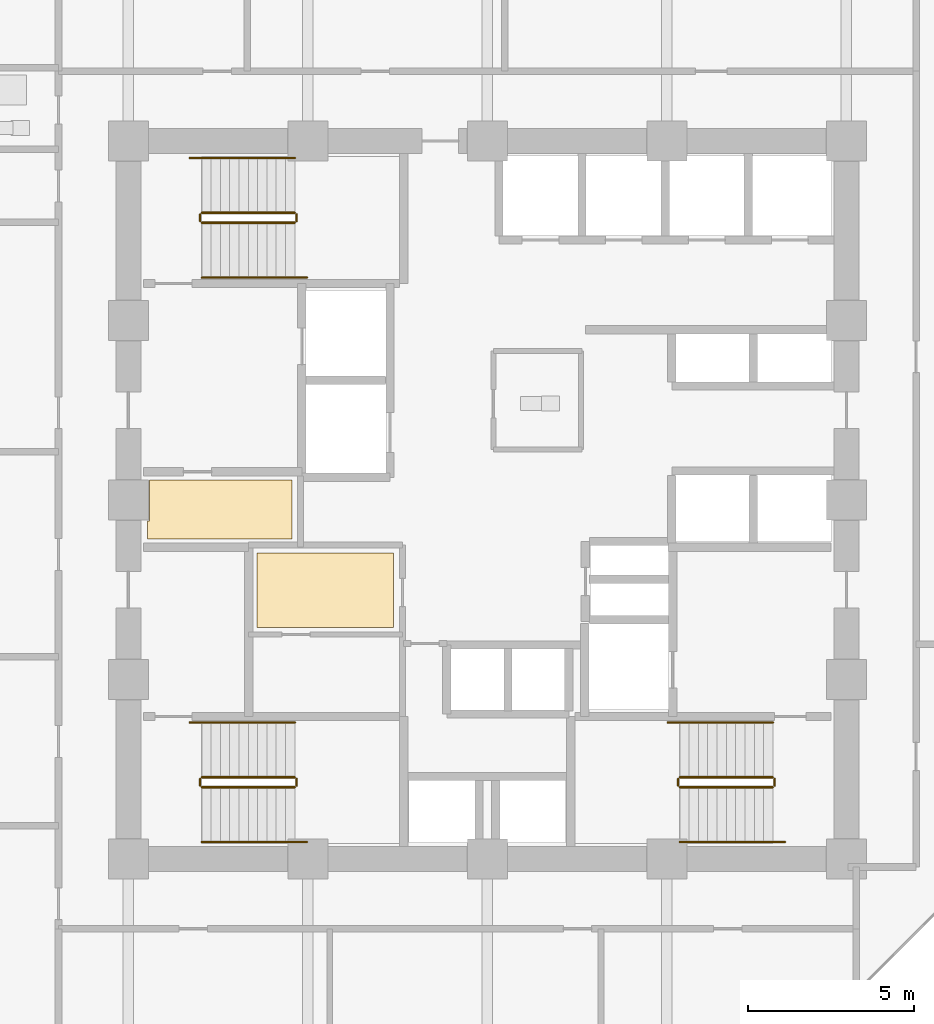
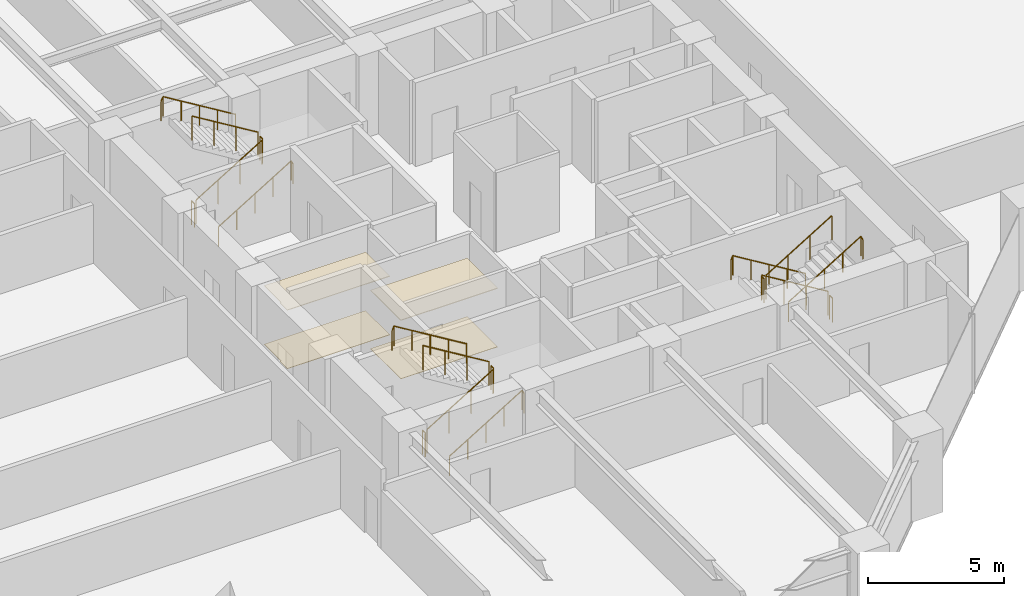
# One storey, part 23 of 24: 18 railings, 4 coverings.
"""IFC4 building model written with IfcOpenShell, lengths in metres."""

from ifc_helpers import new_model, si_unit, direction, frame, origin, origin_2d, place, context, subcontext, project, spatial, polyline, circle, outline, extrude, material, layer, layer_set, type_object, element, save


model = new_model("IFC4")

# Units and contexts
model_context = context("Model", 3, precision=1e-05, world=origin(), true_north=direction((0.0, 1.0)))
body_context = subcontext(model_context, "Body", "Model", "MODEL_VIEW")
ifc_project = project(units=[si_unit("LENGTHUNIT", "METRE"), si_unit("AREAUNIT", "SQUARE_METRE"), si_unit("VOLUMEUNIT", "CUBIC_METRE"), si_unit("PLANEANGLEUNIT", "RADIAN"), si_unit("MASSUNIT", "GRAM", prefix="KILO")], contexts=[model_context])

# Site, building, storey
site_placement = place(None, origin())
site = spatial("IfcSite", under=ifc_project, at=site_placement, CompositionType="ELEMENT")
building_placement = place(site_placement, origin())
building = spatial("IfcBuilding", under=site, at=building_placement, Name="Surkhivell Harbour Commons", CompositionType="ELEMENT")
storey_placement = place(building_placement, frame((0.0, 0.0, 30.0)))
storey = spatial("IfcBuildingStorey", under=building, at=storey_placement, Name="L07", CompositionType="ELEMENT", Elevation=30.0)

# Coverings
ifc_material_1 = material(Name="Perforated acoustic mineral-fibre ceiling tile", Category="other")
ifc_layer_1 = layer(ifc_material_1, 0.02490234375)
ifc_layer_set_1 = layer_set([ifc_layer_1], Name="Perforated acoustic mineral-fibre ceiling tile")
covering_type_1 = type_object("IfcCoveringType", Name="COV-CEIL-AC", PredefinedType="CEILING", material=ifc_layer_set_1)
covering_1_placement = place(storey_placement, frame((0.0, 0.0, 2.6240234375)))
element("IfcCovering", 1, at=covering_1_placement, inside=storey, type_object=covering_type_1, Name="L07 Suspended Acoustic Ceiling 1", PredefinedType="CEILING", context=body_context, shape_type="SweptSolid", body=[
    extrude(outline(polyline([(-10.219970703125, -1.179931640625), (-5.8701171875, -1.179931640625), (-5.8701171875, 0.60009765625), (-10.169921875, 0.60009765625), (-10.169921875, -0.6298828125), (-10.219970703125, -0.6298828125), (-10.219970703125, -1.179931640625)])), origin(), (0.0, 0.0, 1.0), 0.02490234375),
])
ifc_material_2 = material(Name="Moisture-resistant gypsum acoustic ceiling board", Category="other")
ifc_layer_2 = layer(ifc_material_2, 0.030029296875)
ifc_layer_set_2 = layer_set([ifc_layer_2], Name="Moisture-resistant gypsum acoustic ceiling board")
covering_type_2 = type_object("IfcCoveringType", Name="COV-CEIL-GYP", PredefinedType="CEILING", material=ifc_layer_set_2)
covering_2_placement = place(storey_placement, frame((0.0, 0.0, 2.618896484375)))
element("IfcCovering", 2, at=covering_2_placement, inside=storey, type_object=covering_type_2, Name="L07 Suspended Acoustic Ceiling 2", PredefinedType="CEILING", context=body_context, shape_type="SweptSolid", body=[
    extrude(outline(polyline([(-6.929931640625, -3.830078125), (-2.820068359375, -3.830078125), (-2.820068359375, -1.60009765625), (-6.929931640625, -1.60009765625), (-6.929931640625, -3.830078125)])), origin(), (0.0, 0.0, 1.0), 0.030029296875),
])
ifc_material_3 = material(Name="Engineered acoustic oak timber flooring", Category="wood")
ifc_layer_3 = layer(ifc_material_3, 0.02001953125)
ifc_layer_set_3 = layer_set([ifc_layer_3], Name="Engineered acoustic oak timber flooring")
covering_type_3 = type_object("IfcCoveringType", Name="COV-FLR-TIM", PredefinedType="FLOORING", material=ifc_layer_set_3)
covering_3_placement = place(storey_placement, origin())
element("IfcCovering", 3, at=covering_3_placement, inside=storey, type_object=covering_type_3, Name="L07 Interior Floor Finish 1", PredefinedType="FLOORING", context=body_context, shape_type="SweptSolid", body=[
    extrude(outline(polyline([(-10.219970703125, -1.179931640625), (-5.8701171875, -1.179931640625), (-5.8701171875, 0.60009765625), (-10.169921875, 0.60009765625), (-10.169921875, -0.6298828125), (-10.219970703125, -0.6298828125), (-10.219970703125, -1.179931640625)])), origin(), (0.0, 0.0, 1.0), 0.02001953125),
])
covering_4_placement = place(storey_placement, origin())
element("IfcCovering", 4, at=covering_4_placement, inside=storey, type_object=covering_type_3, Name="L07 Interior Floor Finish 2", PredefinedType="FLOORING", context=body_context, shape_type="SweptSolid", body=[
    extrude(outline(polyline([(-6.929931640625, -3.830078125), (-2.820068359375, -3.830078125), (-2.820068359375, -1.60009765625), (-6.929931640625, -1.60009765625), (-6.929931640625, -3.830078125)])), origin(), (0.0, 0.0, 1.0), 0.02001953125),
])

# Railings
ifc_material_4 = material(Name="Galvanised and painted steel S355 guard rail", Category="steel")
railing_type_1 = type_object("IfcRailingType", Name="RAL-ST-GRD1100", PredefinedType="GUARDRAIL", material=ifc_material_4)
railing_1_placement = place(storey_placement, frame((-8.590087890625, 8.340087890625, 0.17041015625)))
element("IfcRailing", 5, at=railing_1_placement, inside=storey, type_object=railing_type_1, Name="L07 ST1 stair guard 1", PredefinedType="GUARDRAIL", context=body_context, shape_type="SweptSolid", body=[
    extrude(circle(Radius=0.02392578125, at=origin_2d()), frame((0.0, 0.0, 1.076171875), z_axis=(0.854169791009, 0.0, 0.51999420009), x_axis=(0.0, 1.0, 0.0)), (0.0, 0.0, 1.0), 3.278076171875),
    extrude(circle(Radius=0.02099609375, at=origin_2d()), origin(), (0.0, 0.0, 1.0), 1.052001953125),
    extrude(circle(Radius=0.02099609375, at=origin_2d()), frame((0.933349609375, 0.0, 0.568115234375)), (0.0, 0.0, 1.0), 1.052001953125),
    extrude(circle(Radius=0.02099609375, at=origin_2d()), frame((1.86669921875, 0.0, 1.136474609375)), (0.0, 0.0, 1.0), 1.052001953125),
    extrude(circle(Radius=0.02099609375, at=origin_2d()), frame((2.800048828125, 0.0, 1.70458984375)), (0.0, 0.0, 1.0), 1.052001953125),
])
railing_2_placement = place(storey_placement, frame((-5.739990234375, 8.389892578125, 1.875)))
element("IfcRailing", 6, at=railing_2_placement, inside=storey, type_object=railing_type_1, Name="L07 ST1 stair guard 2", PredefinedType="GUARDRAIL", context=body_context, shape_type="SweptSolid", body=[
    extrude(circle(Radius=0.02392578125, at=origin_2d()), frame((0.0, 0.0, 1.076171875), z_axis=(0.0, 1.0, 0.0), x_axis=(-1.0, 0.0, 0.0)), (0.0, 0.0, 1.0), 0.2001953125),
    extrude(circle(Radius=0.02099609375, at=origin_2d()), origin(), (0.0, 0.0, 1.0), 1.052001953125),
    extrude(circle(Radius=0.02099609375, at=origin_2d()), frame((0.0, 0.2001953125, 0.0)), (0.0, 0.0, 1.0), 1.052001953125),
])
railing_3_placement = place(storey_placement, frame((-5.7900390625, 8.639892578125, 2.04541015625)))
element("IfcRailing", 7, at=railing_3_placement, inside=storey, type_object=railing_type_1, Name="L07 ST1 stair guard 3", PredefinedType="GUARDRAIL", context=body_context, shape_type="SweptSolid", body=[
    extrude(circle(Radius=0.02392578125, at=origin_2d()), frame((0.0, 0.0, 1.076171875), z_axis=(-0.854169791009, 0.0, 0.51999420009), x_axis=(0.0, -1.0, 0.0)), (0.0, 0.0, 1.0), 3.278076171875),
    extrude(circle(Radius=0.02099609375, at=origin_2d()), origin(), (0.0, 0.0, 1.0), 1.052001953125),
    extrude(circle(Radius=0.02099609375, at=origin_2d()), frame((-0.933349609375, 0.0, 0.568115234375)), (0.0, 0.0, 1.0), 1.052001953125),
    extrude(circle(Radius=0.02099609375, at=origin_2d()), frame((-1.86669921875, 0.0, 1.136474609375)), (0.0, 0.0, 1.0), 1.052001953125),
    extrude(circle(Radius=0.02099609375, at=origin_2d()), frame((-2.800048828125, 0.0, 1.70458984375)), (0.0, 0.0, 1.0), 1.052001953125),
])
railing_4_placement = place(storey_placement, frame((-8.639892578125, 8.389892578125, 0.0)))
element("IfcRailing", 8, at=railing_4_placement, inside=storey, type_object=railing_type_1, Name="L07 ST1 stair guard 4", PredefinedType="GUARDRAIL", context=body_context, shape_type="SweptSolid", body=[
    extrude(circle(Radius=0.02392578125, at=origin_2d()), frame((0.0, 0.0, 1.076171875), z_axis=(0.0, 1.0, 0.0), x_axis=(-1.0, 0.0, 0.0)), (0.0, 0.0, 1.0), 0.2001953125),
    extrude(circle(Radius=0.02099609375, at=origin_2d()), origin(), (0.0, 0.0, 1.0), 1.052001953125),
    extrude(circle(Radius=0.02099609375, at=origin_2d()), frame((0.0, 0.2001953125, 0.0)), (0.0, 0.0, 1.0), 1.052001953125),
])
railing_5_placement = place(storey_placement, frame((8.590087890625, -8.340087890625, 0.17041015625)))
element("IfcRailing", 9, at=railing_5_placement, inside=storey, type_object=railing_type_1, Name="L07 ST2 stair guard 1", PredefinedType="GUARDRAIL", context=body_context, shape_type="SweptSolid", body=[
    extrude(circle(Radius=0.02392578125, at=origin_2d()), frame((0.0, 0.0, 1.076171875), z_axis=(-0.854169791009, 0.0, 0.51999420009), x_axis=(0.0, -1.0, 0.0)), (0.0, 0.0, 1.0), 3.278076171875),
    extrude(circle(Radius=0.02099609375, at=origin_2d()), origin(), (0.0, 0.0, 1.0), 1.052001953125),
    extrude(circle(Radius=0.02099609375, at=origin_2d()), frame((-0.933349609375, 0.0, 0.568115234375)), (0.0, 0.0, 1.0), 1.052001953125),
    extrude(circle(Radius=0.02099609375, at=origin_2d()), frame((-1.86669921875, 0.0, 1.136474609375)), (0.0, 0.0, 1.0), 1.052001953125),
    extrude(circle(Radius=0.02099609375, at=origin_2d()), frame((-2.800048828125, 0.0, 1.70458984375)), (0.0, 0.0, 1.0), 1.052001953125),
])
railing_6_placement = place(storey_placement, frame((5.739990234375, -8.389892578125, 1.875)))
element("IfcRailing", 10, at=railing_6_placement, inside=storey, type_object=railing_type_1, Name="L07 ST2 stair guard 2", PredefinedType="GUARDRAIL", context=body_context, shape_type="SweptSolid", body=[
    extrude(circle(Radius=0.02392578125, at=origin_2d()), frame((0.0, 0.0, 1.076171875), z_axis=(0.0, -1.0, 0.0), x_axis=(1.0, 0.0, 0.0)), (0.0, 0.0, 1.0), 0.2001953125),
    extrude(circle(Radius=0.02099609375, at=origin_2d()), origin(), (0.0, 0.0, 1.0), 1.052001953125),
    extrude(circle(Radius=0.02099609375, at=origin_2d()), frame((0.0, -0.2001953125, 0.0)), (0.0, 0.0, 1.0), 1.052001953125),
])
railing_7_placement = place(storey_placement, frame((5.7900390625, -8.639892578125, 2.04541015625)))
element("IfcRailing", 11, at=railing_7_placement, inside=storey, type_object=railing_type_1, Name="L07 ST2 stair guard 3", PredefinedType="GUARDRAIL", context=body_context, shape_type="SweptSolid", body=[
    extrude(circle(Radius=0.02392578125, at=origin_2d()), frame((0.0, 0.0, 1.076171875), z_axis=(0.854169791009, 0.0, 0.51999420009), x_axis=(0.0, 1.0, 0.0)), (0.0, 0.0, 1.0), 3.278076171875),
    extrude(circle(Radius=0.02099609375, at=origin_2d()), origin(), (0.0, 0.0, 1.0), 1.052001953125),
    extrude(circle(Radius=0.02099609375, at=origin_2d()), frame((0.933349609375, 0.0, 0.568115234375)), (0.0, 0.0, 1.0), 1.052001953125),
    extrude(circle(Radius=0.02099609375, at=origin_2d()), frame((1.86669921875, 0.0, 1.136474609375)), (0.0, 0.0, 1.0), 1.052001953125),
    extrude(circle(Radius=0.02099609375, at=origin_2d()), frame((2.800048828125, 0.0, 1.70458984375)), (0.0, 0.0, 1.0), 1.052001953125),
])
railing_8_placement = place(storey_placement, frame((8.639892578125, -8.389892578125, 0.0)))
element("IfcRailing", 12, at=railing_8_placement, inside=storey, type_object=railing_type_1, Name="L07 ST2 stair guard 4", PredefinedType="GUARDRAIL", context=body_context, shape_type="SweptSolid", body=[
    extrude(circle(Radius=0.02392578125, at=origin_2d()), frame((0.0, 0.0, 1.076171875), z_axis=(0.0, -1.0, 0.0), x_axis=(1.0, 0.0, 0.0)), (0.0, 0.0, 1.0), 0.2001953125),
    extrude(circle(Radius=0.02099609375, at=origin_2d()), origin(), (0.0, 0.0, 1.0), 1.052001953125),
    extrude(circle(Radius=0.02099609375, at=origin_2d()), frame((0.0, -0.2001953125, 0.0)), (0.0, 0.0, 1.0), 1.052001953125),
])
railing_9_placement = place(storey_placement, frame((-8.590087890625, -8.639892578125, 0.17041015625)))
element("IfcRailing", 13, at=railing_9_placement, inside=storey, type_object=railing_type_1, Name="L07 ST3 stair guard 1", PredefinedType="GUARDRAIL", context=body_context, shape_type="SweptSolid", body=[
    extrude(circle(Radius=0.02392578125, at=origin_2d()), frame((0.0, 0.0, 1.076171875), z_axis=(0.854169791009, 0.0, 0.51999420009), x_axis=(0.0, 1.0, 0.0)), (0.0, 0.0, 1.0), 3.278076171875),
    extrude(circle(Radius=0.02099609375, at=origin_2d()), origin(), (0.0, 0.0, 1.0), 1.052001953125),
    extrude(circle(Radius=0.02099609375, at=origin_2d()), frame((0.933349609375, 0.0, 0.568115234375)), (0.0, 0.0, 1.0), 1.052001953125),
    extrude(circle(Radius=0.02099609375, at=origin_2d()), frame((1.86669921875, 0.0, 1.136474609375)), (0.0, 0.0, 1.0), 1.052001953125),
    extrude(circle(Radius=0.02099609375, at=origin_2d()), frame((2.800048828125, 0.0, 1.70458984375)), (0.0, 0.0, 1.0), 1.052001953125),
])
railing_10_placement = place(storey_placement, frame((-5.739990234375, -8.590087890625, 1.875)))
element("IfcRailing", 14, at=railing_10_placement, inside=storey, type_object=railing_type_1, Name="L07 ST3 stair guard 2", PredefinedType="GUARDRAIL", context=body_context, shape_type="SweptSolid", body=[
    extrude(circle(Radius=0.02392578125, at=origin_2d()), frame((0.0, 0.0, 1.076171875), z_axis=(0.0, 1.0, 0.0), x_axis=(-1.0, 0.0, 0.0)), (0.0, 0.0, 1.0), 0.2001953125),
    extrude(circle(Radius=0.02099609375, at=origin_2d()), origin(), (0.0, 0.0, 1.0), 1.052001953125),
    extrude(circle(Radius=0.02099609375, at=origin_2d()), frame((0.0, 0.2001953125, 0.0)), (0.0, 0.0, 1.0), 1.052001953125),
])
railing_11_placement = place(storey_placement, frame((-5.7900390625, -8.340087890625, 2.04541015625)))
element("IfcRailing", 15, at=railing_11_placement, inside=storey, type_object=railing_type_1, Name="L07 ST3 stair guard 3", PredefinedType="GUARDRAIL", context=body_context, shape_type="SweptSolid", body=[
    extrude(circle(Radius=0.02392578125, at=origin_2d()), frame((0.0, 0.0, 1.076171875), z_axis=(-0.854169791009, 0.0, 0.51999420009), x_axis=(0.0, -1.0, 0.0)), (0.0, 0.0, 1.0), 3.278076171875),
    extrude(circle(Radius=0.02099609375, at=origin_2d()), origin(), (0.0, 0.0, 1.0), 1.052001953125),
    extrude(circle(Radius=0.02099609375, at=origin_2d()), frame((-0.933349609375, 0.0, 0.568115234375)), (0.0, 0.0, 1.0), 1.052001953125),
    extrude(circle(Radius=0.02099609375, at=origin_2d()), frame((-1.86669921875, 0.0, 1.136474609375)), (0.0, 0.0, 1.0), 1.052001953125),
    extrude(circle(Radius=0.02099609375, at=origin_2d()), frame((-2.800048828125, 0.0, 1.70458984375)), (0.0, 0.0, 1.0), 1.052001953125),
])
railing_12_placement = place(storey_placement, frame((-8.639892578125, -8.590087890625, 0.0)))
element("IfcRailing", 16, at=railing_12_placement, inside=storey, type_object=railing_type_1, Name="L07 ST3 stair guard 4", PredefinedType="GUARDRAIL", context=body_context, shape_type="SweptSolid", body=[
    extrude(circle(Radius=0.02392578125, at=origin_2d()), frame((0.0, 0.0, 1.076171875), z_axis=(0.0, 1.0, 0.0), x_axis=(-1.0, 0.0, 0.0)), (0.0, 0.0, 1.0), 0.2001953125),
    extrude(circle(Radius=0.02099609375, at=origin_2d()), origin(), (0.0, 0.0, 1.0), 1.052001953125),
    extrude(circle(Radius=0.02099609375, at=origin_2d()), frame((0.0, 0.2001953125, 0.0)), (0.0, 0.0, 1.0), 1.052001953125),
])
ifc_material_5 = material(Name="Brushed stainless steel S355 handrail", Category="steel")
railing_type_2 = type_object("IfcRailingType", Name="RAL-ST-HND900", PredefinedType="HANDRAIL", material=ifc_material_5)
railing_13_placement = place(storey_placement, frame((-8.590087890625, 6.68994140625, 0.17041015625)))
element("IfcRailing", 17, at=railing_13_placement, inside=storey, type_object=railing_type_2, Name="L07 ST1 stair handrail 1", PredefinedType="HANDRAIL", context=body_context, shape_type="SweptSolid", body=[
    extrude(circle(Radius=0.02392578125, at=origin_2d()), frame((0.0, 0.0, 0.8759765625), z_axis=(0.854177636135, 0.0, 0.519981313056), x_axis=(0.0, 1.0, 0.0)), (0.0, 0.0, 1.0), 3.60595703125),
    extrude(circle(Radius=0.02392578125, at=origin_2d()), frame((3.080078125, 0.0, 2.7509765625), z_axis=(0.425297416671, 0.0, -0.905053648892), x_axis=(0.0, 1.0, 0.0)), (0.0, 0.0, 1.0), 0.188232421875),
    extrude(circle(Radius=0.02099609375, at=origin_2d()), origin(), (0.0, 0.0, 1.0), 0.851806640625),
    extrude(circle(Radius=0.02099609375, at=origin_2d()), frame((0.77001953125, 0.0, 0.46875)), (0.0, 0.0, 1.0), 0.851806640625),
    extrude(circle(Radius=0.02099609375, at=origin_2d()), frame((1.5400390625, 0.0, 0.9375)), (0.0, 0.0, 1.0), 0.851806640625),
    extrude(circle(Radius=0.02099609375, at=origin_2d()), frame((2.31005859375, 0.0, 1.40625)), (0.0, 0.0, 1.0), 0.851806640625),
    extrude(circle(Radius=0.02099609375, at=origin_2d()), frame((3.080078125, 0.0, 1.875)), (0.0, 0.0, 1.0), 0.851806640625),
    extrude(circle(Radius=0.02099609375, at=origin_2d()), frame((3.16015625, 0.0, 1.70458984375)), (0.0, 0.0, 1.0), 0.851806640625),
])
railing_14_placement = place(storey_placement, frame((-5.7900390625, 10.2900390625, 2.04541015625)))
element("IfcRailing", 18, at=railing_14_placement, inside=storey, type_object=railing_type_2, Name="L07 ST1 stair handrail 2", PredefinedType="HANDRAIL", context=body_context, shape_type="SweptSolid", body=[
    extrude(circle(Radius=0.02392578125, at=origin_2d()), frame((0.0, 0.0, 0.8759765625), z_axis=(-0.854177636135, 0.0, 0.519981313056), x_axis=(0.0, -1.0, 0.0)), (0.0, 0.0, 1.0), 3.60595703125),
    extrude(circle(Radius=0.02392578125, at=origin_2d()), frame((-3.080078125, 0.0, 2.7509765625), z_axis=(-0.424234432967, 0.0, -0.905552398199), x_axis=(0.0, -1.0, 0.0)), (0.0, 0.0, 1.0), 0.188232421875),
    extrude(circle(Radius=0.02099609375, at=origin_2d()), origin(), (0.0, 0.0, 1.0), 0.851806640625),
    extrude(circle(Radius=0.02099609375, at=origin_2d()), frame((-0.77001953125, 0.0, 0.46875)), (0.0, 0.0, 1.0), 0.851806640625),
    extrude(circle(Radius=0.02099609375, at=origin_2d()), frame((-1.5400390625, 0.0, 0.9375)), (0.0, 0.0, 1.0), 0.851806640625),
    extrude(circle(Radius=0.02099609375, at=origin_2d()), frame((-2.31005859375, 0.0, 1.40625)), (0.0, 0.0, 1.0), 0.851806640625),
    extrude(circle(Radius=0.02099609375, at=origin_2d()), frame((-3.080078125, 0.0, 1.875)), (0.0, 0.0, 1.0), 0.851806640625),
    extrude(circle(Radius=0.02099609375, at=origin_2d()), frame((-3.159912109375, 0.0, 1.70458984375)), (0.0, 0.0, 1.0), 0.851806640625),
])
railing_15_placement = place(storey_placement, frame((8.590087890625, -6.68994140625, 0.17041015625)))
element("IfcRailing", 19, at=railing_15_placement, inside=storey, type_object=railing_type_2, Name="L07 ST2 stair handrail 1", PredefinedType="HANDRAIL", context=body_context, shape_type="SweptSolid", body=[
    extrude(circle(Radius=0.02392578125, at=origin_2d()), frame((0.0, 0.0, 0.8759765625), z_axis=(-0.854177636135, 0.0, 0.519981313056), x_axis=(0.0, -1.0, 0.0)), (0.0, 0.0, 1.0), 3.60595703125),
    extrude(circle(Radius=0.02392578125, at=origin_2d()), frame((-3.080078125, 0.0, 2.7509765625), z_axis=(-0.425297416671, 0.0, -0.905053648892), x_axis=(0.0, -1.0, 0.0)), (0.0, 0.0, 1.0), 0.188232421875),
    extrude(circle(Radius=0.02099609375, at=origin_2d()), origin(), (0.0, 0.0, 1.0), 0.851806640625),
    extrude(circle(Radius=0.02099609375, at=origin_2d()), frame((-0.77001953125, 0.0, 0.46875)), (0.0, 0.0, 1.0), 0.851806640625),
    extrude(circle(Radius=0.02099609375, at=origin_2d()), frame((-1.5400390625, 0.0, 0.9375)), (0.0, 0.0, 1.0), 0.851806640625),
    extrude(circle(Radius=0.02099609375, at=origin_2d()), frame((-2.31005859375, 0.0, 1.40625)), (0.0, 0.0, 1.0), 0.851806640625),
    extrude(circle(Radius=0.02099609375, at=origin_2d()), frame((-3.080078125, 0.0, 1.875)), (0.0, 0.0, 1.0), 0.851806640625),
    extrude(circle(Radius=0.02099609375, at=origin_2d()), frame((-3.16015625, 0.0, 1.70458984375)), (0.0, 0.0, 1.0), 0.851806640625),
])
railing_16_placement = place(storey_placement, frame((5.7900390625, -10.2900390625, 2.04541015625)))
element("IfcRailing", 20, at=railing_16_placement, inside=storey, type_object=railing_type_2, Name="L07 ST2 stair handrail 2", PredefinedType="HANDRAIL", context=body_context, shape_type="SweptSolid", body=[
    extrude(circle(Radius=0.02392578125, at=origin_2d()), frame((0.0, 0.0, 0.8759765625), z_axis=(0.854177636135, 0.0, 0.519981313056), x_axis=(0.0, 1.0, 0.0)), (0.0, 0.0, 1.0), 3.60595703125),
    extrude(circle(Radius=0.02392578125, at=origin_2d()), frame((3.080078125, 0.0, 2.7509765625), z_axis=(0.424234432967, 0.0, -0.905552398199), x_axis=(0.0, 1.0, 0.0)), (0.0, 0.0, 1.0), 0.188232421875),
    extrude(circle(Radius=0.02099609375, at=origin_2d()), origin(), (0.0, 0.0, 1.0), 0.851806640625),
    extrude(circle(Radius=0.02099609375, at=origin_2d()), frame((0.77001953125, 0.0, 0.46875)), (0.0, 0.0, 1.0), 0.851806640625),
    extrude(circle(Radius=0.02099609375, at=origin_2d()), frame((1.5400390625, 0.0, 0.9375)), (0.0, 0.0, 1.0), 0.851806640625),
    extrude(circle(Radius=0.02099609375, at=origin_2d()), frame((2.31005859375, 0.0, 1.40625)), (0.0, 0.0, 1.0), 0.851806640625),
    extrude(circle(Radius=0.02099609375, at=origin_2d()), frame((3.080078125, 0.0, 1.875)), (0.0, 0.0, 1.0), 0.851806640625),
    extrude(circle(Radius=0.02099609375, at=origin_2d()), frame((3.159912109375, 0.0, 1.70458984375)), (0.0, 0.0, 1.0), 0.851806640625),
])
railing_17_placement = place(storey_placement, frame((-8.590087890625, -10.2900390625, 0.17041015625)))
element("IfcRailing", 21, at=railing_17_placement, inside=storey, type_object=railing_type_2, Name="L07 ST3 stair handrail 1", PredefinedType="HANDRAIL", context=body_context, shape_type="SweptSolid", body=[
    extrude(circle(Radius=0.02392578125, at=origin_2d()), frame((0.0, 0.0, 0.8759765625), z_axis=(0.854177636135, 0.0, 0.519981313056), x_axis=(0.0, 1.0, 0.0)), (0.0, 0.0, 1.0), 3.60595703125),
    extrude(circle(Radius=0.02392578125, at=origin_2d()), frame((3.080078125, 0.0, 2.7509765625), z_axis=(0.425297416671, 0.0, -0.905053648892), x_axis=(0.0, 1.0, 0.0)), (0.0, 0.0, 1.0), 0.188232421875),
    extrude(circle(Radius=0.02099609375, at=origin_2d()), origin(), (0.0, 0.0, 1.0), 0.851806640625),
    extrude(circle(Radius=0.02099609375, at=origin_2d()), frame((0.77001953125, 0.0, 0.46875)), (0.0, 0.0, 1.0), 0.851806640625),
    extrude(circle(Radius=0.02099609375, at=origin_2d()), frame((1.5400390625, 0.0, 0.9375)), (0.0, 0.0, 1.0), 0.851806640625),
    extrude(circle(Radius=0.02099609375, at=origin_2d()), frame((2.31005859375, 0.0, 1.40625)), (0.0, 0.0, 1.0), 0.851806640625),
    extrude(circle(Radius=0.02099609375, at=origin_2d()), frame((3.080078125, 0.0, 1.875)), (0.0, 0.0, 1.0), 0.851806640625),
    extrude(circle(Radius=0.02099609375, at=origin_2d()), frame((3.16015625, 0.0, 1.70458984375)), (0.0, 0.0, 1.0), 0.851806640625),
])
railing_18_placement = place(storey_placement, frame((-5.7900390625, -6.68994140625, 2.04541015625)))
element("IfcRailing", 22, at=railing_18_placement, inside=storey, type_object=railing_type_2, Name="L07 ST3 stair handrail 2", PredefinedType="HANDRAIL", context=body_context, shape_type="SweptSolid", body=[
    extrude(circle(Radius=0.02392578125, at=origin_2d()), frame((0.0, 0.0, 0.8759765625), z_axis=(-0.854177636135, 0.0, 0.519981313056), x_axis=(0.0, -1.0, 0.0)), (0.0, 0.0, 1.0), 3.60595703125),
    extrude(circle(Radius=0.02392578125, at=origin_2d()), frame((-3.080078125, 0.0, 2.7509765625), z_axis=(-0.424234432967, 0.0, -0.905552398199), x_axis=(0.0, -1.0, 0.0)), (0.0, 0.0, 1.0), 0.188232421875),
    extrude(circle(Radius=0.02099609375, at=origin_2d()), origin(), (0.0, 0.0, 1.0), 0.851806640625),
    extrude(circle(Radius=0.02099609375, at=origin_2d()), frame((-0.77001953125, 0.0, 0.46875)), (0.0, 0.0, 1.0), 0.851806640625),
    extrude(circle(Radius=0.02099609375, at=origin_2d()), frame((-1.5400390625, 0.0, 0.9375)), (0.0, 0.0, 1.0), 0.851806640625),
    extrude(circle(Radius=0.02099609375, at=origin_2d()), frame((-2.31005859375, 0.0, 1.40625)), (0.0, 0.0, 1.0), 0.851806640625),
    extrude(circle(Radius=0.02099609375, at=origin_2d()), frame((-3.080078125, 0.0, 1.875)), (0.0, 0.0, 1.0), 0.851806640625),
    extrude(circle(Radius=0.02099609375, at=origin_2d()), frame((-3.159912109375, 0.0, 1.70458984375)), (0.0, 0.0, 1.0), 0.851806640625),
])

save(model, "model.ifc")
